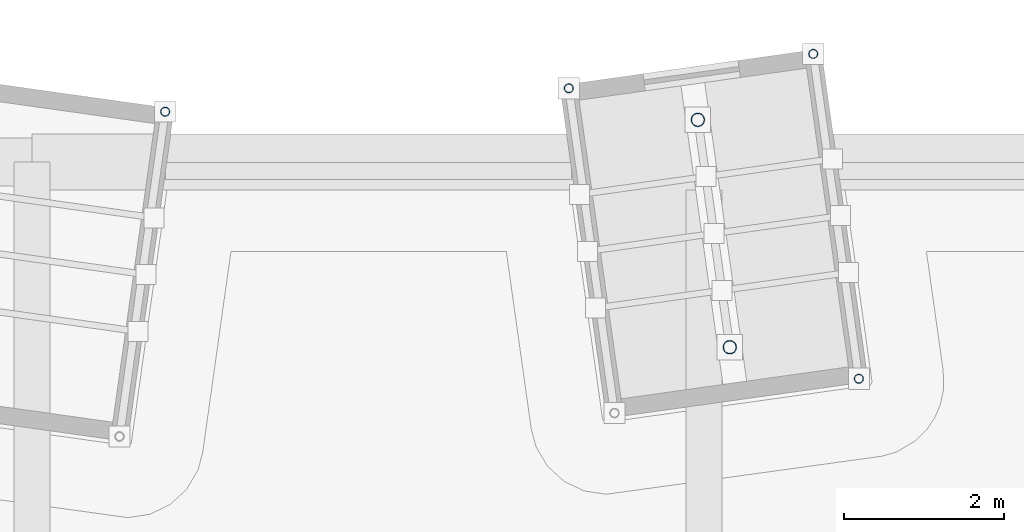
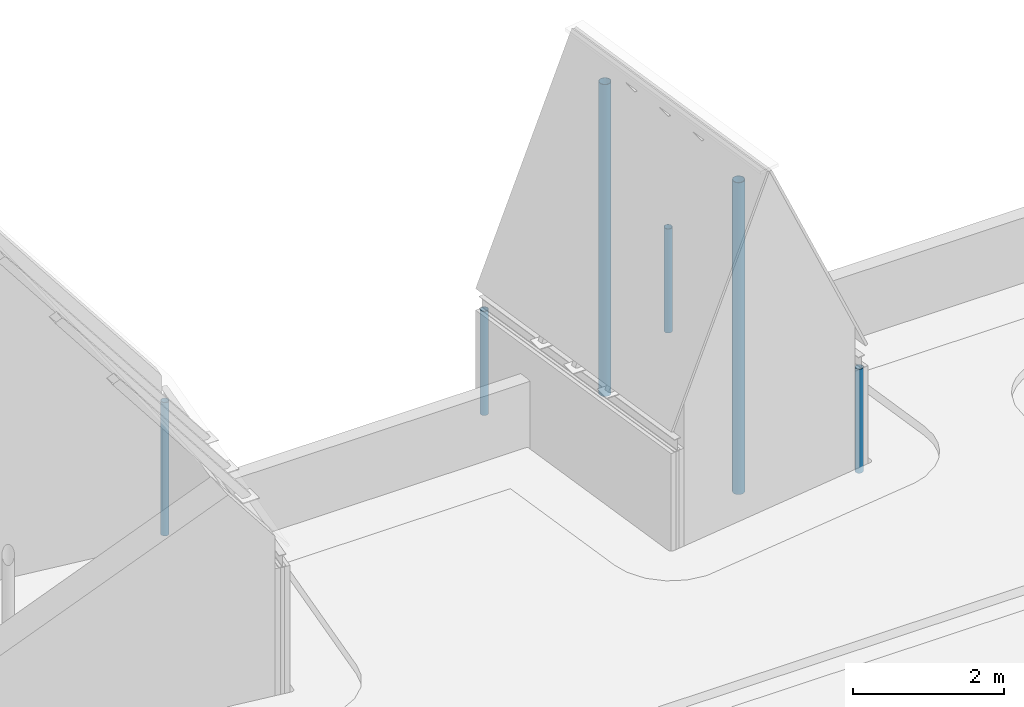
# One storey, part 5 of 11: 6 columns.
"""IFC4 building model written with IfcOpenShell, lengths in metres."""

from ifc_helpers import new_model, si_unit, direction, frame, origin, origin_2d, place, context, subcontext, project, spatial, hollow_circle, extrude, material, material_profile, profile_set, type_object, element, save


model = new_model("IFC4")

# Units and contexts
model_context = context("Model", 3, precision=1e-05, world=origin(), true_north=direction((0.0, 1.0)))
body_context = subcontext(model_context, "Body", "Model", "MODEL_VIEW")
ifc_project = project(units=[si_unit("LENGTHUNIT", "METRE"), si_unit("AREAUNIT", "SQUARE_METRE"), si_unit("VOLUMEUNIT", "CUBIC_METRE"), si_unit("PLANEANGLEUNIT", "RADIAN"), si_unit("MASSUNIT", "GRAM", prefix="KILO")], contexts=[model_context])

# Site, building, storey
site_placement = place(None, origin())
site = spatial("IfcSite", under=ifc_project, at=site_placement, CompositionType="ELEMENT")
building_placement = place(site_placement, origin())
building = spatial("IfcBuilding", under=site, at=building_placement, Name="Kiln Court Media Centre", CompositionType="ELEMENT")
storey_placement = place(building_placement, frame((0.0, 0.0, 42.60009765625)))
storey = spatial("IfcBuildingStorey", under=building, at=storey_placement, Name="ROOF", CompositionType="ELEMENT", Elevation=42.60009765625)

# Columns
ifc_material_1 = material(Name="Steel ASTM A500 Gr C", Category="steel")
ifc_material_profile_1 = material_profile(ifc_material_1, hollow_circle(Radius=0.05712890625, WallThickness=0.0048828125, at=origin_2d()), Name="CHS 114.3x5.0")
ifc_profile_set_1 = profile_set([ifc_material_profile_1], Name="Steel ASTM A500 Gr C")
column_type_1 = type_object("IfcColumnType", Name="Steel ASTM A500 Gr C CHS 114.3x5.0 crown eaves post", PredefinedType="COLUMN", material=ifc_profile_set_1)
column_placement = place(storey_placement, frame((18.467041015625, 25.831787109375, 0.0078125), z_axis=(0.0, 0.0, 1.0), x_axis=(1.0, 0.0, 0.0)))
element("IfcColumn", 1, at=column_placement, inside=storey, type_object=column_type_1, Name="crown form 6 eaves post crown eaves post", PredefinedType="COLUMN", context=body_context, shape_type="SweptSolid", body=[
    extrude(hollow_circle(Radius=0.05712890625, WallThickness=0.0048828125, at=origin_2d()), origin(), (0.0, 0.0, 1.0), 2.152099609375),
])
for number, where, z_axis, x_axis, name in (
    (2, (23.512451171875, 26.1240234375, 0.0078125), (0.0, 0.0, 1.0), (1.0, 0.0, 0.0), "crown form 7 eaves post crown eaves post"),
    (3, (27.137939453125, 22.493408203125, 0.0078125), (0.0, 0.0, 1.0), (1.0, 0.0, 0.0), "crown form 7 eaves post crown eaves post"),
    (4, (26.5673828125, 26.553466796875, 0.0078125), (0.0, 0.0, 1.0), (1.0, 0.0, 0.0), "crown form 7 eaves post crown eaves post"),
):
    element("IfcColumn", number, at=place(storey_placement, frame(where, z_axis=z_axis, x_axis=x_axis)), inside=storey, type_object=column_type_1, Name=name, PredefinedType="COLUMN", context=body_context, shape_type="SweptSolid", body=[
        extrude(hollow_circle(Radius=0.05712890625, WallThickness=0.0048828125, at=origin_2d()), origin(), (0.0, 0.0, 1.0), 1.68017578125),
    ])
ifc_material_2 = material(Name="Steel ASTM A500 Gr C", Category="steel")
ifc_material_profile_2 = material_profile(ifc_material_2, hollow_circle(Radius=0.084228515625, WallThickness=0.00634765625, at=origin_2d()), Name="CHS 168.3x6.3")
ifc_profile_set_2 = profile_set([ifc_material_profile_2], Name="Steel ASTM A500 Gr C")
column_type_2 = type_object("IfcColumnType", Name="Steel ASTM A500 Gr C CHS 168.3x6.3 crown ridge post", PredefinedType="COLUMN", material=ifc_profile_set_2)
for number, where, z_axis, x_axis, name in (
    (5, (25.52490234375, 22.8876953125, 0.0078125), (0.0, 0.0, 1.0), (1.0, 0.0, 0.0), "crown form 7 ridge post crown ridge post"),
    (6, (25.12548828125, 25.729736328125, 0.0078125), (0.0, 0.0, 1.0), (1.0, 0.0, 0.0), "crown form 7 ridge post crown ridge post"),
):
    element("IfcColumn", number, at=place(storey_placement, frame(where, z_axis=z_axis, x_axis=x_axis)), inside=storey, type_object=column_type_2, Name=name, PredefinedType="COLUMN", context=body_context, shape_type="SweptSolid", body=[
        extrude(hollow_circle(Radius=0.084228515625, WallThickness=0.00634765625, at=origin_2d()), origin(), (0.0, 0.0, 1.0), 5.0341796875),
    ])

save(model, "model.ifc")
